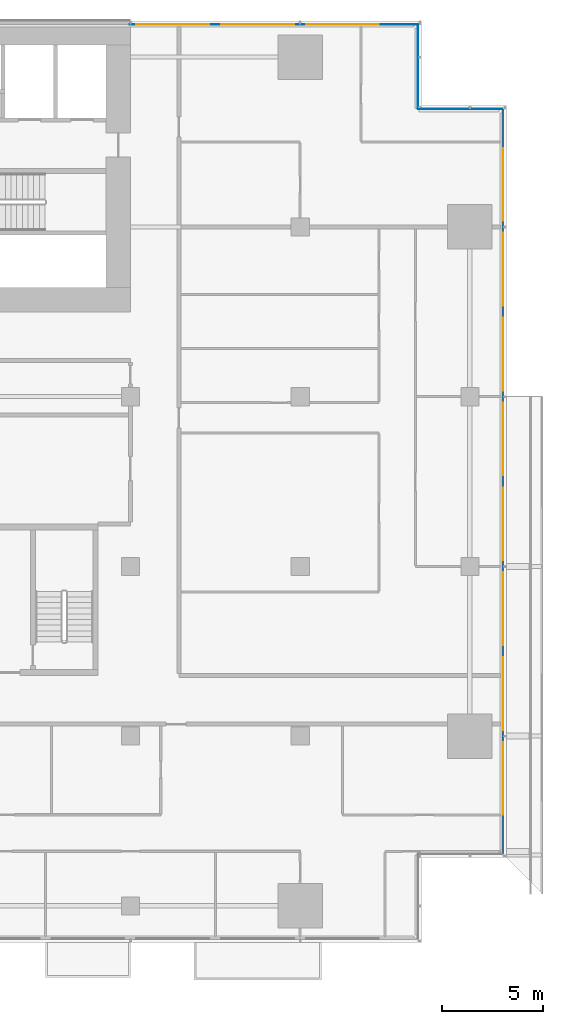
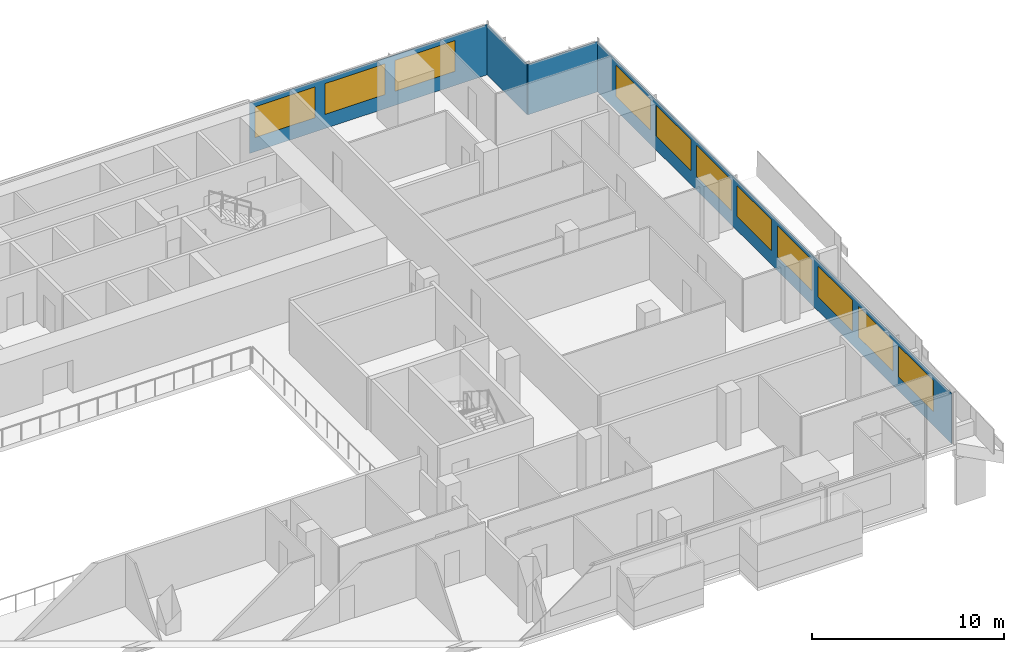
# One storey, part 17 of 28: 11 windows, 4 plates, 11 openings, 4 elements without a shape of their own.
"""IFC4 building model written with IfcOpenShell, lengths in metres."""

from ifc_helpers import new_model, si_unit, direction, frame, frame_2d, origin, place, context, subcontext, project, spatial, rectangle, extrude, material, layer, layer_set, type_object, element, fill, aggregate, save


model = new_model("IFC4")

# Units and contexts
model_context = context("Model", 3, precision=1e-05, world=origin(), true_north=direction((0.0, 1.0)))
body_context = subcontext(model_context, "Body", "Model", "MODEL_VIEW")
ifc_project = project(units=[si_unit("LENGTHUNIT", "METRE"), si_unit("AREAUNIT", "SQUARE_METRE"), si_unit("VOLUMEUNIT", "CUBIC_METRE"), si_unit("PLANEANGLEUNIT", "RADIAN"), si_unit("MASSUNIT", "GRAM", prefix="KILO")], contexts=[model_context])

# Site, building, storey
site_placement = place(None, origin())
site = spatial("IfcSite", under=ifc_project, at=site_placement, CompositionType="ELEMENT")
building_placement = place(site_placement, origin())
building = spatial("IfcBuilding", under=site, at=building_placement, Name="Saffron Gate Tower", CompositionType="ELEMENT")
storey_placement = place(building_placement, frame((0.0, 0.0, 51.60009765625)))
storey = spatial("IfcBuildingStorey", under=building, at=storey_placement, Name="L11", CompositionType="ELEMENT", Elevation=51.60009765625)

# Curtain wall, plate, openings, windows
ifc_material_1 = material(Name="Aluminium, bronze anodised", Category="aluminium")
curtain_wall_type_1 = type_object("IfcCurtainWallType", Name="CWS2 curtain wall side facades", PredefinedType="NOTDEFINED", material=ifc_material_1)
curtain_wall_1_placement = place(storey_placement, origin())
curtain_wall_1 = element("IfcCurtainWall", 1, at=curtain_wall_1_placement, inside=storey, type_object=curtain_wall_type_1, Name="CWS2 run 4", PredefinedType="NOTDEFINED")
ifc_material_2 = material(Name="Fritted bronze-tinted laminated glass", Category="glass")
ifc_layer_1 = layer(ifc_material_2, 0.028076171875)
ifc_layer_set_1 = layer_set([ifc_layer_1], Name="CWS2 fixed glass")
plate_type_1 = type_object("IfcPlateType", Name="CWS2 fixed glass", PredefinedType="CURTAIN_PANEL", material=ifc_layer_set_1)
plate_1_placement = place(storey_placement, frame((127.02587890625, 34.387939453125, 0.0), z_axis=(0.0, 0.0, 1.0), x_axis=(0.0, 1.0, 0.0)))
plate_1 = element("IfcPlate", 2, at=plate_1_placement, type_object=plate_type_1, Name="CWS2 glass panel", PredefinedType="CURTAIN_PANEL", context=body_context, shape_type="SweptSolid", body=[
    extrude(rectangle(XDim=36.823974609375, YDim=0.028076171875, at=frame_2d((18.412109375, 0.0))), origin(), (0.0, 0.0, 1.0), 3.199951171875),
])
opening_1_placement = place(plate_1_placement, frame((1.912109375, 0.0, 0.89990234375)))
opening_1 = element("IfcOpeningElement", 3, at=opening_1_placement, cuts=plate_1, Name="Opening W1", PredefinedType="OPENING", context=body_context, shape_type="SweptSolid", body=[
    extrude(rectangle(XDim=3.60009765625, YDim=1.949951171875, at=frame_2d((1.800048828125, 0.97509765625))), frame((0.0, 0.02392578125, 0.0), z_axis=(0.0, -1.0, 0.0), x_axis=(1.0, 0.0, 0.0)), (0.0, 0.0, 1.0), 0.048095703125),
])
opening_2_placement = place(plate_1_placement, frame((6.112060546875, 0.0, 0.89990234375)))
opening_2 = element("IfcOpeningElement", 4, at=opening_2_placement, cuts=plate_1, Name="Opening W1", PredefinedType="OPENING", context=body_context, shape_type="SweptSolid", body=[
    extrude(rectangle(XDim=3.60009765625, YDim=1.949951171875, at=frame_2d((1.800048828125, 0.97509765625))), frame((0.0, 0.02392578125, 0.0), z_axis=(0.0, -1.0, 0.0), x_axis=(1.0, 0.0, 0.0)), (0.0, 0.0, 1.0), 0.048095703125),
])
opening_3_placement = place(plate_1_placement, frame((10.31201171875, 0.0, 0.89990234375)))
opening_3 = element("IfcOpeningElement", 5, at=opening_3_placement, cuts=plate_1, Name="Opening W1", PredefinedType="OPENING", context=body_context, shape_type="SweptSolid", body=[
    extrude(rectangle(XDim=3.60009765625, YDim=1.949951171875, at=frame_2d((1.800048828125, 0.97509765625))), frame((0.0, 0.02392578125, 0.0), z_axis=(0.0, -1.0, 0.0), x_axis=(1.0, 0.0, 0.0)), (0.0, 0.0, 1.0), 0.048095703125),
])
opening_4_placement = place(plate_1_placement, frame((14.511962890625, 0.0, 0.89990234375)))
opening_4 = element("IfcOpeningElement", 6, at=opening_4_placement, cuts=plate_1, Name="Opening W1", PredefinedType="OPENING", context=body_context, shape_type="SweptSolid", body=[
    extrude(rectangle(XDim=3.60009765625, YDim=1.949951171875, at=frame_2d((1.800048828125, 0.97509765625))), frame((0.0, 0.02392578125, 0.0), z_axis=(0.0, -1.0, 0.0), x_axis=(1.0, 0.0, 0.0)), (0.0, 0.0, 1.0), 0.048095703125),
])
opening_5_placement = place(plate_1_placement, frame((18.7119140625, 0.0, 0.89990234375)))
opening_5 = element("IfcOpeningElement", 7, at=opening_5_placement, cuts=plate_1, Name="Opening W1", PredefinedType="OPENING", context=body_context, shape_type="SweptSolid", body=[
    extrude(rectangle(XDim=3.60009765625, YDim=1.949951171875, at=frame_2d((1.800048828125, 0.97509765625))), frame((0.0, 0.02392578125, 0.0), z_axis=(0.0, -1.0, 0.0), x_axis=(1.0, 0.0, 0.0)), (0.0, 0.0, 1.0), 0.048095703125),
])
opening_6_placement = place(plate_1_placement, frame((22.912109375, 0.0, 0.89990234375)))
opening_6 = element("IfcOpeningElement", 8, at=opening_6_placement, cuts=plate_1, Name="Opening W1", PredefinedType="OPENING", context=body_context, shape_type="SweptSolid", body=[
    extrude(rectangle(XDim=3.60009765625, YDim=1.949951171875, at=frame_2d((1.800048828125, 0.97509765625))), frame((0.0, 0.02392578125, 0.0), z_axis=(0.0, -1.0, 0.0), x_axis=(1.0, 0.0, 0.0)), (0.0, 0.0, 1.0), 0.048095703125),
])
opening_7_placement = place(plate_1_placement, frame((27.112060546875, 0.0, 0.89990234375)))
opening_7 = element("IfcOpeningElement", 9, at=opening_7_placement, cuts=plate_1, Name="Opening W1", PredefinedType="OPENING", context=body_context, shape_type="SweptSolid", body=[
    extrude(rectangle(XDim=3.60009765625, YDim=1.949951171875, at=frame_2d((1.800048828125, 0.97509765625))), frame((0.0, 0.02392578125, 0.0), z_axis=(0.0, -1.0, 0.0), x_axis=(1.0, 0.0, 0.0)), (0.0, 0.0, 1.0), 0.048095703125),
])
opening_8_placement = place(plate_1_placement, frame((31.31201171875, 0.0, 0.89990234375)))
opening_8 = element("IfcOpeningElement", 10, at=opening_8_placement, cuts=plate_1, Name="Opening W1", PredefinedType="OPENING", context=body_context, shape_type="SweptSolid", body=[
    extrude(rectangle(XDim=3.60009765625, YDim=1.949951171875, at=frame_2d((1.800048828125, 0.97509765625))), frame((0.0, 0.02392578125, 0.0), z_axis=(0.0, -1.0, 0.0), x_axis=(1.0, 0.0, 0.0)), (0.0, 0.0, 1.0), 0.048095703125),
])
ifc_material_3 = material(Name="Fritted bronze-tinted laminated glass in bronze frame", Category="glass")
ifc_layer_2 = layer(ifc_material_3, 0.06005859375)
ifc_layer_set_2 = layer_set([ifc_layer_2], Name="W1 operable panel 3600x1950")
window_type = type_object("IfcWindowType", Name="W1 operable panel 3600x1950", PartitioningType="DOUBLE_PANEL_HORIZONTAL", PredefinedType="WINDOW", material=ifc_layer_set_2)
window_1_placement = place(opening_1_placement, origin())
window_1 = element("IfcWindow", 11, at=window_1_placement, type_object=window_type, Name="W1 operable panel", OverallHeight=1.949951171875, OverallWidth=3.60009765625, PartitioningType="SINGLE_PANEL", PredefinedType="WINDOW", context=body_context, shape_type="SweptSolid", body=[
    extrude(rectangle(XDim=3.60009765625, YDim=1.949951171875, at=frame_2d((1.800048828125, 0.97509765625))), frame((0.0, 0.013671875, 0.0), z_axis=(0.0, -1.0, 0.0), x_axis=(1.0, 0.0, 0.0)), (0.0, 0.0, 1.0), 0.027587890625),
])
fill(opening_1, window_1)
window_2_placement = place(opening_2_placement, origin())
window_2 = element("IfcWindow", 12, at=window_2_placement, type_object=window_type, Name="W1 operable panel", OverallHeight=1.949951171875, OverallWidth=3.60009765625, PartitioningType="SINGLE_PANEL", PredefinedType="WINDOW", context=body_context, shape_type="SweptSolid", body=[
    extrude(rectangle(XDim=3.60009765625, YDim=1.949951171875, at=frame_2d((1.800048828125, 0.97509765625))), frame((0.0, 0.013671875, 0.0), z_axis=(0.0, -1.0, 0.0), x_axis=(1.0, 0.0, 0.0)), (0.0, 0.0, 1.0), 0.027587890625),
])
fill(opening_2, window_2)
window_3_placement = place(opening_3_placement, origin())
window_3 = element("IfcWindow", 13, at=window_3_placement, type_object=window_type, Name="W1 operable panel", OverallHeight=1.949951171875, OverallWidth=3.60009765625, PartitioningType="SINGLE_PANEL", PredefinedType="WINDOW", context=body_context, shape_type="SweptSolid", body=[
    extrude(rectangle(XDim=3.60009765625, YDim=1.949951171875, at=frame_2d((1.800048828125, 0.97509765625))), frame((0.0, 0.013671875, 0.0), z_axis=(0.0, -1.0, 0.0), x_axis=(1.0, 0.0, 0.0)), (0.0, 0.0, 1.0), 0.027587890625),
])
fill(opening_3, window_3)
window_4_placement = place(opening_4_placement, origin())
window_4 = element("IfcWindow", 14, at=window_4_placement, type_object=window_type, Name="W1 operable panel", OverallHeight=1.949951171875, OverallWidth=3.60009765625, PartitioningType="SINGLE_PANEL", PredefinedType="WINDOW", context=body_context, shape_type="SweptSolid", body=[
    extrude(rectangle(XDim=3.60009765625, YDim=1.949951171875, at=frame_2d((1.800048828125, 0.97509765625))), frame((0.0, 0.013671875, 0.0), z_axis=(0.0, -1.0, 0.0), x_axis=(1.0, 0.0, 0.0)), (0.0, 0.0, 1.0), 0.027587890625),
])
fill(opening_4, window_4)
window_5_placement = place(opening_5_placement, origin())
window_5 = element("IfcWindow", 15, at=window_5_placement, type_object=window_type, Name="W1 operable panel", OverallHeight=1.949951171875, OverallWidth=3.60009765625, PartitioningType="SINGLE_PANEL", PredefinedType="WINDOW", context=body_context, shape_type="SweptSolid", body=[
    extrude(rectangle(XDim=3.60009765625, YDim=1.949951171875, at=frame_2d((1.800048828125, 0.97509765625))), frame((0.0, 0.013671875, 0.0), z_axis=(0.0, -1.0, 0.0), x_axis=(1.0, 0.0, 0.0)), (0.0, 0.0, 1.0), 0.027587890625),
])
fill(opening_5, window_5)
window_6_placement = place(opening_6_placement, origin())
window_6 = element("IfcWindow", 16, at=window_6_placement, type_object=window_type, Name="W1 operable panel", OverallHeight=1.949951171875, OverallWidth=3.60009765625, PartitioningType="SINGLE_PANEL", PredefinedType="WINDOW", context=body_context, shape_type="SweptSolid", body=[
    extrude(rectangle(XDim=3.60009765625, YDim=1.949951171875, at=frame_2d((1.800048828125, 0.97509765625))), frame((0.0, 0.013671875, 0.0), z_axis=(0.0, -1.0, 0.0), x_axis=(1.0, 0.0, 0.0)), (0.0, 0.0, 1.0), 0.027587890625),
])
fill(opening_6, window_6)
window_7_placement = place(opening_7_placement, origin())
window_7 = element("IfcWindow", 17, at=window_7_placement, type_object=window_type, Name="W1 operable panel", OverallHeight=1.949951171875, OverallWidth=3.60009765625, PartitioningType="SINGLE_PANEL", PredefinedType="WINDOW", context=body_context, shape_type="SweptSolid", body=[
    extrude(rectangle(XDim=3.60009765625, YDim=1.949951171875, at=frame_2d((1.800048828125, 0.97509765625))), frame((0.0, 0.013671875, 0.0), z_axis=(0.0, -1.0, 0.0), x_axis=(1.0, 0.0, 0.0)), (0.0, 0.0, 1.0), 0.027587890625),
])
fill(opening_7, window_7)
window_8_placement = place(opening_8_placement, origin())
window_8 = element("IfcWindow", 18, at=window_8_placement, type_object=window_type, Name="W1 operable panel", OverallHeight=1.949951171875, OverallWidth=3.60009765625, PartitioningType="SINGLE_PANEL", PredefinedType="WINDOW", context=body_context, shape_type="SweptSolid", body=[
    extrude(rectangle(XDim=3.60009765625, YDim=1.949951171875, at=frame_2d((1.800048828125, 0.97509765625))), frame((0.0, 0.013671875, 0.0), z_axis=(0.0, -1.0, 0.0), x_axis=(1.0, 0.0, 0.0)), (0.0, 0.0, 1.0), 0.027587890625),
])
fill(opening_8, window_8)
aggregate(curtain_wall_1, [plate_1, window_1, window_2, window_3, window_4, window_5, window_6, window_7, window_8])

curtain_wall_type_2 = type_object("IfcCurtainWallType", Name="CWS3 curtain wall rear facade", PredefinedType="NOTDEFINED", material=ifc_material_1)
curtain_wall_2_placement = place(storey_placement, origin())
curtain_wall_2 = element("IfcCurtainWall", 19, at=curtain_wall_2_placement, inside=storey, type_object=curtain_wall_type_2, Name="CWS3 run 7", PredefinedType="NOTDEFINED")
ifc_material_4 = material(Name="Fritted grey-tinted laminated glass", Category="glass")
ifc_layer_3 = layer(ifc_material_4, 0.028076171875)
ifc_layer_set_3 = layer_set([ifc_layer_3], Name="CWS3 fixed glass")
plate_type_2 = type_object("IfcPlateType", Name="CWS3 fixed glass", PredefinedType="CURTAIN_PANEL", material=ifc_layer_set_3)
plate_2_placement = place(storey_placement, frame((122.81201171875, 75.426025390625, 0.0), z_axis=(0.0, 0.0, 1.0), x_axis=(-1.0, 0.0, 0.0)))
plate_2 = element("IfcPlate", 20, at=plate_2_placement, type_object=plate_type_2, Name="CWS3 glass panel", PredefinedType="CURTAIN_PANEL", context=body_context, shape_type="SweptSolid", body=[
    extrude(rectangle(XDim=14.2470703125, YDim=0.028076171875, at=frame_2d((7.12353515625, 0.0))), origin(), (0.0, 0.0, 1.0), 3.199951171875),
])
opening_9_placement = place(plate_2_placement, frame((1.912109375, 0.0, 0.89990234375)))
opening_9 = element("IfcOpeningElement", 21, at=opening_9_placement, cuts=plate_2, Name="Opening W1", PredefinedType="OPENING", context=body_context, shape_type="SweptSolid", body=[
    extrude(rectangle(XDim=3.60009765625, YDim=1.949951171875, at=frame_2d((1.800048828125, 0.97509765625))), frame((0.0, 0.02392578125, 0.0), z_axis=(0.0, -1.0, 0.0), x_axis=(1.0, 0.0, 0.0)), (0.0, 0.0, 1.0), 0.048095703125),
])
opening_10_placement = place(plate_2_placement, frame((6.112060546875, 0.0, 0.89990234375)))
opening_10 = element("IfcOpeningElement", 22, at=opening_10_placement, cuts=plate_2, Name="Opening W1", PredefinedType="OPENING", context=body_context, shape_type="SweptSolid", body=[
    extrude(rectangle(XDim=3.60009765625, YDim=1.949951171875, at=frame_2d((1.800048828125, 0.97509765625))), frame((0.0, 0.02392578125, 0.0), z_axis=(0.0, -1.0, 0.0), x_axis=(1.0, 0.0, 0.0)), (0.0, 0.0, 1.0), 0.048095703125),
])
opening_11_placement = place(plate_2_placement, frame((10.31201171875, 0.0, 0.89990234375)))
opening_11 = element("IfcOpeningElement", 23, at=opening_11_placement, cuts=plate_2, Name="Opening W1", PredefinedType="OPENING", context=body_context, shape_type="SweptSolid", body=[
    extrude(rectangle(XDim=3.60009765625, YDim=1.949951171875, at=frame_2d((1.800048828125, 0.97509765625))), frame((0.0, 0.02392578125, 0.0), z_axis=(0.0, -1.0, 0.0), x_axis=(1.0, 0.0, 0.0)), (0.0, 0.0, 1.0), 0.048095703125),
])
window_9_placement = place(opening_9_placement, origin())
window_9 = element("IfcWindow", 24, at=window_9_placement, type_object=window_type, Name="W1 operable panel", OverallHeight=1.949951171875, OverallWidth=3.60009765625, PartitioningType="SINGLE_PANEL", PredefinedType="WINDOW", context=body_context, shape_type="SweptSolid", body=[
    extrude(rectangle(XDim=3.60009765625, YDim=1.949951171875, at=frame_2d((1.800048828125, 0.97509765625))), frame((0.0, 0.013671875, 0.0), z_axis=(0.0, -1.0, 0.0), x_axis=(1.0, 0.0, 0.0)), (0.0, 0.0, 1.0), 0.027587890625),
])
fill(opening_9, window_9)
window_10_placement = place(opening_10_placement, origin())
window_10 = element("IfcWindow", 25, at=window_10_placement, type_object=window_type, Name="W1 operable panel", OverallHeight=1.949951171875, OverallWidth=3.60009765625, PartitioningType="SINGLE_PANEL", PredefinedType="WINDOW", context=body_context, shape_type="SweptSolid", body=[
    extrude(rectangle(XDim=3.60009765625, YDim=1.949951171875, at=frame_2d((1.800048828125, 0.97509765625))), frame((0.0, 0.013671875, 0.0), z_axis=(0.0, -1.0, 0.0), x_axis=(1.0, 0.0, 0.0)), (0.0, 0.0, 1.0), 0.027587890625),
])
fill(opening_10, window_10)
window_11_placement = place(opening_11_placement, origin())
window_11 = element("IfcWindow", 26, at=window_11_placement, type_object=window_type, Name="W1 operable panel", OverallHeight=1.949951171875, OverallWidth=3.60009765625, PartitioningType="SINGLE_PANEL", PredefinedType="WINDOW", context=body_context, shape_type="SweptSolid", body=[
    extrude(rectangle(XDim=3.60009765625, YDim=1.949951171875, at=frame_2d((1.800048828125, 0.97509765625))), frame((0.0, 0.013671875, 0.0), z_axis=(0.0, -1.0, 0.0), x_axis=(1.0, 0.0, 0.0)), (0.0, 0.0, 1.0), 0.027587890625),
])
fill(opening_11, window_11)
aggregate(curtain_wall_2, [plate_2, window_9, window_10, window_11])

# Curtain wall, plate
curtain_wall_type_3 = type_object("IfcCurtainWallType", Name="CWS4 curtain wall corner returns", PredefinedType="NOTDEFINED", material=ifc_material_1)
curtain_wall_3_placement = place(storey_placement, origin())
curtain_wall_3 = element("IfcCurtainWall", 27, at=curtain_wall_3_placement, inside=storey, type_object=curtain_wall_type_3, Name="CWS4 run 5", PredefinedType="NOTDEFINED")
ifc_layer_4 = layer(ifc_material_2, 0.028076171875)
ifc_layer_set_4 = layer_set([ifc_layer_4], Name="CWS4 fixed glass")
plate_type_3 = type_object("IfcPlateType", Name="CWS4 fixed glass", PredefinedType="CURTAIN_PANEL", material=ifc_layer_set_4)
plate_3_placement = place(storey_placement, frame((127.011962890625, 71.22607421875, 0.0), z_axis=(0.0, 0.0, 1.0), x_axis=(-1.0, 0.0, 0.0)))
plate_3 = element("IfcPlate", 28, at=plate_3_placement, type_object=plate_type_3, Name="CWS4 glass panel", PredefinedType="CURTAIN_PANEL", context=body_context, shape_type="SweptSolid", body=[
    extrude(rectangle(XDim=4.171875, YDim=0.028076171875, at=frame_2d((2.0859375, 0.0))), origin(), (0.0, 0.0, 1.0), 3.199951171875),
])
aggregate(curtain_wall_3, [plate_3])

curtain_wall_4_placement = place(storey_placement, origin())
curtain_wall_4 = element("IfcCurtainWall", 29, at=curtain_wall_4_placement, inside=storey, type_object=curtain_wall_type_3, Name="CWS4 run 6", PredefinedType="NOTDEFINED")
plate_4_placement = place(storey_placement, frame((122.825927734375, 71.239990234375, 0.0), z_axis=(0.0, 0.0, 1.0), x_axis=(0.0, 1.0, 0.0)))
plate_4 = element("IfcPlate", 30, at=plate_4_placement, type_object=plate_type_3, Name="CWS4 glass panel", PredefinedType="CURTAIN_PANEL", context=body_context, shape_type="SweptSolid", body=[
    extrude(rectangle(XDim=4.172119140625, YDim=0.028076171875, at=frame_2d((2.0859375, 0.0))), origin(), (0.0, 0.0, 1.0), 3.199951171875),
])
aggregate(curtain_wall_4, [plate_4])

save(model, "model.ifc")
